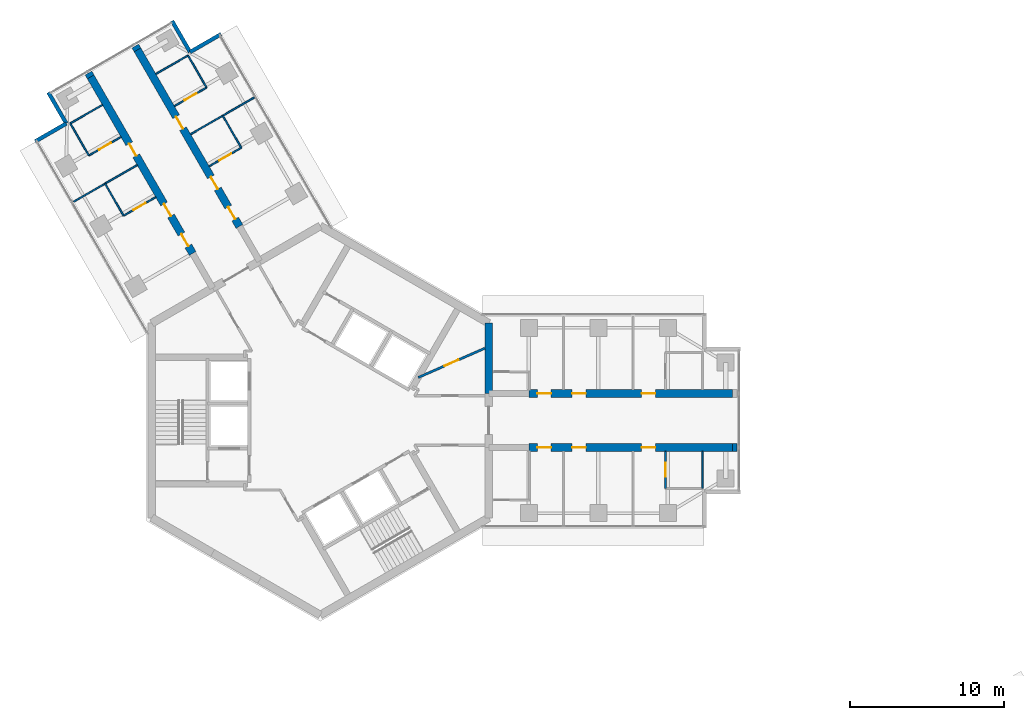
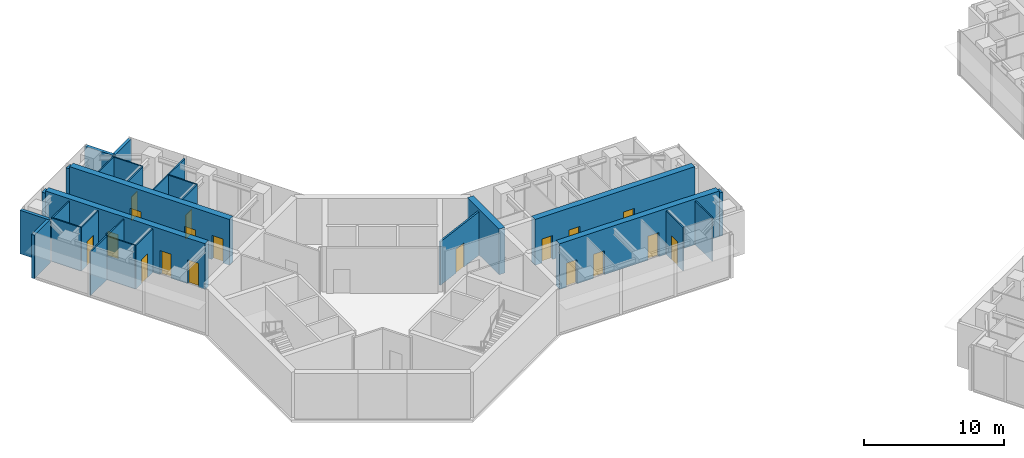
# One storey, part 13 of 18: 27 walls, 18 doors, 18 openings.
"""IFC4 building model written with IfcOpenShell, lengths in metres."""

from ifc_helpers import new_model, si_unit, direction, frame, frame_2d, origin, place, context, subcontext, project, spatial, rectangle, extrude, material, layer, layer_set, type_object, element, fill, save


model = new_model("IFC4")

# Units and contexts
model_context = context("Model", 3, precision=1e-05, world=origin(), true_north=direction((0.0, 1.0)))
body_context = subcontext(model_context, "Body", "Model", "MODEL_VIEW")
ifc_project = project(units=[si_unit("LENGTHUNIT", "METRE"), si_unit("AREAUNIT", "SQUARE_METRE"), si_unit("VOLUMEUNIT", "CUBIC_METRE"), si_unit("PLANEANGLEUNIT", "RADIAN"), si_unit("MASSUNIT", "GRAM", prefix="KILO")], contexts=[model_context])

# Site, building, storey
site_placement = place(None, origin())
site = spatial("IfcSite", under=ifc_project, at=site_placement, CompositionType="ELEMENT")
building_placement = place(site_placement, origin())
building = spatial("IfcBuilding", under=site, at=building_placement, Name="Upepo Twin Towers", CompositionType="ELEMENT")
storey_placement = place(building_placement, frame((0.0, 0.0, 226.5)))
storey = spatial("IfcBuildingStorey", under=building, at=storey_placement, Name="L55", CompositionType="ELEMENT", Elevation=226.5)

# Walls
ifc_material_1 = material(Name="Dense concrete blockwork", Category="masonry")
ifc_layer_1 = layer(ifc_material_1, 0.5)
ifc_layer_set_1 = layer_set([ifc_layer_1], Name="Buttress closer 500, blockwork with fire-stopping to the curtain wall")
wall_type_1 = type_object("IfcWallType", Name="Buttress closer 500, blockwork with fire-stopping to the curtain wall", PredefinedType="PARTITIONING", material=ifc_layer_set_1)
for number, where, z_axis, x_axis, name in (
    (1, (26.699951171875, -1.75, 0.0), (0.0, 0.0, 1.0), (1.0, 0.0, 0.0), "T1 L55 wing A buttress closer R"),
    (2, (-14.865478515625, 22.247802734375, 0.0), (0.0, 0.0, 1.0), (-0.500065409566, 0.86598763626, 0.0), "T1 L55 wing B buttress closer L"),
    (3, (-11.83447265625, 23.997802734375, 0.0), (0.0, 0.0, 1.0), (-0.500065409566, 0.86598763626, 0.0), "T1 L55 wing B buttress closer R"),
):
    element("IfcWall", number, at=place(storey_placement, frame(where, z_axis=z_axis, x_axis=x_axis)), inside=storey, type_object=wall_type_1, Name=name, PredefinedType="PARTITIONING", context=body_context, shape_type="SweptSolid", body=[
        extrude(rectangle(XDim=0.28759765625, YDim=0.5, at=frame_2d((0.143798828125, 0.0))), origin(), (0.0, 0.0, 1.0), 3.800048828125),
    ])

# Wall, openings, doors
ifc_material_2 = material(Name="Concrete C60/75", Category="concrete")
ifc_layer_2 = layer(ifc_material_2, 0.5)
ifc_layer_set_2 = layer_set([ifc_layer_2], Name="Concrete C60/75")
wall_type_2 = type_object("IfcWallType", Name="Buttress wall 500 RC", PredefinedType="SHEAR", material=ifc_layer_set_2)
wall_1_placement = place(storey_placement, frame((13.5, 1.75, 0.0), z_axis=(0.0, 0.0, 1.0), x_axis=(1.0, 0.0, 0.0)))
wall_1 = element("IfcWall", 4, at=wall_1_placement, inside=storey, type_object=wall_type_2, Name="T1 wing A buttress wall L part 2", PredefinedType="SHEAR", context=body_context, shape_type="SweptSolid", body=[
    extrude(rectangle(XDim=13.199951171875, YDim=0.5, at=frame_2d((6.60009765625, 0.0))), origin(), (0.0, 0.0, 1.0), 4.0),
])
opening_1_placement = place(wall_1_placement, frame((0.550048828125, 0.0, 0.0)))
opening_1 = element("IfcOpeningElement", 5, at=opening_1_placement, cuts=wall_1, Name="Opening D11", PredefinedType="OPENING", context=body_context, shape_type="SweptSolid", body=[
    extrude(rectangle(XDim=0.89990234375, YDim=2.10009765625, at=frame_2d((0.449951171875, 1.050048828125))), frame((0.0, 0.260009765625, 0.0), z_axis=(0.0, -1.0, 0.0), x_axis=(1.0, 0.0, 0.0)), (0.0, 0.0, 1.0), 0.52001953125),
])
opening_2_placement = place(wall_1_placement, frame((2.800048828125, 0.0, 0.0)))
opening_2 = element("IfcOpeningElement", 6, at=opening_2_placement, cuts=wall_1, Name="Opening D14", PredefinedType="OPENING", context=body_context, shape_type="SweptSolid", body=[
    extrude(rectangle(XDim=0.89990234375, YDim=2.10009765625, at=frame_2d((0.449951171875, 1.050048828125))), frame((0.0, 0.260009765625, 0.0), z_axis=(0.0, -1.0, 0.0), x_axis=(1.0, 0.0, 0.0)), (0.0, 0.0, 1.0), 0.52001953125),
])
opening_3_placement = place(wall_1_placement, frame((7.300048828125, 0.0, 0.0)))
opening_3 = element("IfcOpeningElement", 7, at=opening_3_placement, cuts=wall_1, Name="Opening D14", PredefinedType="OPENING", context=body_context, shape_type="SweptSolid", body=[
    extrude(rectangle(XDim=0.89990234375, YDim=2.10009765625, at=frame_2d((0.449951171875, 1.050048828125))), frame((0.0, 0.260009765625, 0.0), z_axis=(0.0, -1.0, 0.0), x_axis=(1.0, 0.0, 0.0)), (0.0, 0.0, 1.0), 0.52001953125),
])
ifc_material_3 = material(Name="Timber doorset", Category="wood")
door_type_1 = type_object("IfcDoorType", Name="Office door 900 FD30", OperationType="SINGLE_SWING_LEFT", PredefinedType="DOOR", material=ifc_material_3)
door_1_placement = place(opening_2_placement, origin())
door_1 = element("IfcDoor", 8, at=door_1_placement, inside=storey, type_object=door_type_1, Name="T1 L55 staff office door", OperationType="SINGLE_SWING_LEFT", OverallHeight=2.10009765625, OverallWidth=0.89990234375, PredefinedType="DOOR", context=body_context, shape_type="SweptSolid", body=[
    extrude(rectangle(XDim=0.89990234375, YDim=2.10009765625, at=frame_2d((0.449951171875, 1.050048828125))), frame((0.0, 0.02490234375, 0.0), z_axis=(0.0, -1.0, 0.0), x_axis=(1.0, 0.0, 0.0)), (0.0, 0.0, 1.0), 0.050048828125),
])
fill(opening_2, door_1)
door_2_placement = place(opening_3_placement, origin())
door_2 = element("IfcDoor", 9, at=door_2_placement, inside=storey, type_object=door_type_1, Name="T1 L55 postgraduate office door", OperationType="SINGLE_SWING_RIGHT", OverallHeight=2.10009765625, OverallWidth=0.89990234375, PredefinedType="DOOR", context=body_context, shape_type="SweptSolid", body=[
    extrude(rectangle(XDim=0.89990234375, YDim=2.10009765625, at=frame_2d((0.449951171875, 1.050048828125))), frame((0.0, 0.02490234375, 0.0), z_axis=(0.0, -1.0, 0.0), x_axis=(1.0, 0.0, 0.0)), (0.0, 0.0, 1.0), 0.050048828125),
])
fill(opening_3, door_2)
ifc_material_4 = material(Name="Timber doorset", Category="wood")
door_type_2 = type_object("IfcDoorType", Name="Toilet door 900", OperationType="SINGLE_SWING_LEFT", PredefinedType="DOOR", material=ifc_material_4)
door_3_placement = place(opening_1_placement, origin())
door_3 = element("IfcDoor", 10, at=door_3_placement, inside=storey, type_object=door_type_2, Name="T1 L55 toilets door", OperationType="SINGLE_SWING_LEFT", OverallHeight=2.10009765625, OverallWidth=0.89990234375, PredefinedType="DOOR", context=body_context, shape_type="SweptSolid", body=[
    extrude(rectangle(XDim=0.89990234375, YDim=2.10009765625, at=frame_2d((0.449951171875, 1.050048828125))), frame((0.0, 0.02490234375, 0.0), z_axis=(0.0, -1.0, 0.0), x_axis=(1.0, 0.0, 0.0)), (0.0, 0.0, 1.0), 0.050048828125),
])
fill(opening_1, door_3)

wall_2_placement = place(storey_placement, frame((13.5, -1.75, 0.0), z_axis=(0.0, 0.0, 1.0), x_axis=(1.0, 0.0, 0.0)))
wall_2 = element("IfcWall", 11, at=wall_2_placement, inside=storey, type_object=wall_type_2, Name="T1 wing A buttress wall R part 2", PredefinedType="SHEAR", context=body_context, shape_type="SweptSolid", body=[
    extrude(rectangle(XDim=13.199951171875, YDim=0.5, at=frame_2d((6.60009765625, 0.0))), origin(), (0.0, 0.0, 1.0), 4.0),
])
opening_4_placement = place(wall_2_placement, frame((0.550048828125, 0.0, 0.0)))
opening_4 = element("IfcOpeningElement", 12, at=opening_4_placement, cuts=wall_2, Name="Opening D11", PredefinedType="OPENING", context=body_context, shape_type="SweptSolid", body=[
    extrude(rectangle(XDim=0.89990234375, YDim=2.10009765625, at=frame_2d((0.449951171875, 1.050048828125))), frame((0.0, 0.260009765625, 0.0), z_axis=(0.0, -1.0, 0.0), x_axis=(1.0, 0.0, 0.0)), (0.0, 0.0, 1.0), 0.52001953125),
])
opening_5_placement = place(wall_2_placement, frame((2.800048828125, 0.0, 0.0)))
opening_5 = element("IfcOpeningElement", 13, at=opening_5_placement, cuts=wall_2, Name="Opening D14", PredefinedType="OPENING", context=body_context, shape_type="SweptSolid", body=[
    extrude(rectangle(XDim=0.89990234375, YDim=2.10009765625, at=frame_2d((0.449951171875, 1.050048828125))), frame((0.0, 0.260009765625, 0.0), z_axis=(0.0, -1.0, 0.0), x_axis=(1.0, 0.0, 0.0)), (0.0, 0.0, 1.0), 0.52001953125),
])
opening_6_placement = place(wall_2_placement, frame((7.300048828125, 0.0, 0.0)))
opening_6 = element("IfcOpeningElement", 14, at=opening_6_placement, cuts=wall_2, Name="Opening D14", PredefinedType="OPENING", context=body_context, shape_type="SweptSolid", body=[
    extrude(rectangle(XDim=0.89990234375, YDim=2.10009765625, at=frame_2d((0.449951171875, 1.050048828125))), frame((0.0, 0.260009765625, 0.0), z_axis=(0.0, -1.0, 0.0), x_axis=(1.0, 0.0, 0.0)), (0.0, 0.0, 1.0), 0.52001953125),
])
door_4_placement = place(opening_5_placement, origin())
door_4 = element("IfcDoor", 15, at=door_4_placement, inside=storey, type_object=door_type_1, Name="T1 L55 meeting room door", OperationType="SINGLE_SWING_LEFT", OverallHeight=2.10009765625, OverallWidth=0.89990234375, PredefinedType="DOOR", context=body_context, shape_type="SweptSolid", body=[
    extrude(rectangle(XDim=0.89990234375, YDim=2.10009765625, at=frame_2d((0.449951171875, 1.050048828125))), frame((0.0, 0.02490234375, 0.0), z_axis=(0.0, -1.0, 0.0), x_axis=(1.0, 0.0, 0.0)), (0.0, 0.0, 1.0), 0.050048828125),
])
fill(opening_5, door_4)
door_5_placement = place(opening_6_placement, origin())
door_5 = element("IfcDoor", 16, at=door_5_placement, inside=storey, type_object=door_type_1, Name="T1 L55 staff office door", OperationType="SINGLE_SWING_RIGHT", OverallHeight=2.10009765625, OverallWidth=0.89990234375, PredefinedType="DOOR", context=body_context, shape_type="SweptSolid", body=[
    extrude(rectangle(XDim=0.89990234375, YDim=2.10009765625, at=frame_2d((0.449951171875, 1.050048828125))), frame((0.0, 0.02490234375, 0.0), z_axis=(0.0, -1.0, 0.0), x_axis=(1.0, 0.0, 0.0)), (0.0, 0.0, 1.0), 0.050048828125),
])
fill(opening_6, door_5)
door_6_placement = place(opening_4_placement, origin())
door_6 = element("IfcDoor", 17, at=door_6_placement, inside=storey, type_object=door_type_2, Name="T1 L55 accessible wc door", OperationType="SINGLE_SWING_LEFT", OverallHeight=2.10009765625, OverallWidth=0.89990234375, PredefinedType="DOOR", context=body_context, shape_type="SweptSolid", body=[
    extrude(rectangle(XDim=0.89990234375, YDim=2.10009765625, at=frame_2d((0.449951171875, 1.050048828125))), frame((0.0, 0.02490234375, 0.0), z_axis=(0.0, -1.0, 0.0), x_axis=(1.0, 0.0, 0.0)), (0.0, 0.0, 1.0), 0.050048828125),
])
fill(opening_4, door_6)

wall_3_placement = place(storey_placement, frame((-8.265625, 10.81640625, 0.0), z_axis=(0.0, 0.0, 1.0), x_axis=(-0.499996231654, 0.866027579429, 0.0)))
wall_3 = element("IfcWall", 18, at=wall_3_placement, inside=storey, type_object=wall_type_2, Name="T1 wing B buttress wall L part 2", PredefinedType="SHEAR", context=body_context, shape_type="SweptSolid", body=[
    extrude(rectangle(XDim=13.19970703125, YDim=0.5, at=frame_2d((6.599853515625, 0.0))), origin(), (0.0, 0.0, 1.0), 4.0),
])
opening_7_placement = place(wall_3_placement, frame((0.550048828125, 0.0, 0.0)))
opening_7 = element("IfcOpeningElement", 19, at=opening_7_placement, cuts=wall_3, Name="Opening D14", PredefinedType="OPENING", context=body_context, shape_type="SweptSolid", body=[
    extrude(rectangle(XDim=0.89990234375, YDim=2.10009765625, at=frame_2d((0.449951171875, 1.050048828125))), frame((0.0, 0.260009765625, 0.0), z_axis=(0.0, -1.0, 0.0), x_axis=(1.0, 0.0, 0.0)), (0.0, 0.0, 1.0), 0.52001953125),
])
opening_8_placement = place(wall_3_placement, frame((2.800048828125, 0.0, 0.0)))
opening_8 = element("IfcOpeningElement", 20, at=opening_8_placement, cuts=wall_3, Name="Opening D14", PredefinedType="OPENING", context=body_context, shape_type="SweptSolid", body=[
    extrude(rectangle(XDim=0.89990234375, YDim=2.10009765625, at=frame_2d((0.449951171875, 1.050048828125))), frame((0.0, 0.260009765625, 0.0), z_axis=(0.0, -1.0, 0.0), x_axis=(1.0, 0.0, 0.0)), (0.0, 0.0, 1.0), 0.52001953125),
])
opening_9_placement = place(wall_3_placement, frame((7.300048828125, 0.0, 0.0)))
opening_9 = element("IfcOpeningElement", 21, at=opening_9_placement, cuts=wall_3, Name="Opening D14", PredefinedType="OPENING", context=body_context, shape_type="SweptSolid", body=[
    extrude(rectangle(XDim=0.89990234375, YDim=2.10009765625, at=frame_2d((0.449951171875, 1.050048828125))), frame((0.0, 0.260009765625, 0.0), z_axis=(0.0, -1.0, 0.0), x_axis=(1.0, 0.0, 0.0)), (0.0, 0.0, 1.0), 0.52001953125),
])
door_7_placement = place(opening_7_placement, origin())
door_7 = element("IfcDoor", 22, at=door_7_placement, inside=storey, type_object=door_type_1, Name="T1 L55 open-plan department office door", OperationType="SINGLE_SWING_LEFT", OverallHeight=2.10009765625, OverallWidth=0.89990234375, PredefinedType="DOOR", context=body_context, shape_type="SweptSolid", body=[
    extrude(rectangle(XDim=0.89990234375, YDim=2.10009765625, at=frame_2d((0.449951171875, 1.050048828125))), frame((0.0, 0.02490234375, 0.0), z_axis=(0.0, -1.0, 0.0), x_axis=(1.0, 0.0, 0.0)), (0.0, 0.0, 1.0), 0.050048828125),
])
fill(opening_7, door_7)
door_8_placement = place(opening_8_placement, origin())
door_8 = element("IfcDoor", 23, at=door_8_placement, inside=storey, type_object=door_type_1, Name="T1 L55 open-plan department office door", OperationType="SINGLE_SWING_LEFT", OverallHeight=2.10009765625, OverallWidth=0.89990234375, PredefinedType="DOOR", context=body_context, shape_type="SweptSolid", body=[
    extrude(rectangle(XDim=0.89990234375, YDim=2.10009765625, at=frame_2d((0.449951171875, 1.050048828125))), frame((0.0, 0.02490234375, 0.0), z_axis=(0.0, -1.0, 0.0), x_axis=(1.0, 0.0, 0.0)), (0.0, 0.0, 1.0), 0.050048828125),
])
fill(opening_8, door_8)
door_9_placement = place(opening_9_placement, origin())
door_9 = element("IfcDoor", 24, at=door_9_placement, inside=storey, type_object=door_type_1, Name="T1 L55 staff office door", OperationType="SINGLE_SWING_RIGHT", OverallHeight=2.10009765625, OverallWidth=0.89990234375, PredefinedType="DOOR", context=body_context, shape_type="SweptSolid", body=[
    extrude(rectangle(XDim=0.89990234375, YDim=2.10009765625, at=frame_2d((0.449951171875, 1.050048828125))), frame((0.0, 0.02490234375, 0.0), z_axis=(0.0, -1.0, 0.0), x_axis=(1.0, 0.0, 0.0)), (0.0, 0.0, 1.0), 0.050048828125),
])
fill(opening_9, door_9)

wall_4_placement = place(storey_placement, frame((-5.234375, 12.56640625, 0.0), z_axis=(0.0, 0.0, 1.0), x_axis=(-0.500010103361, 0.866019570528, 0.0)))
wall_4 = element("IfcWall", 25, at=wall_4_placement, inside=storey, type_object=wall_type_2, Name="T1 wing B buttress wall R part 2", PredefinedType="SHEAR", context=body_context, shape_type="SweptSolid", body=[
    extrude(rectangle(XDim=13.199951171875, YDim=0.5, at=frame_2d((6.60009765625, 0.0))), origin(), (0.0, 0.0, 1.0), 4.0),
])
opening_10_placement = place(wall_4_placement, frame((0.550048828125, 0.0, 0.0)))
opening_10 = element("IfcOpeningElement", 26, at=opening_10_placement, cuts=wall_4, Name="Opening D14", PredefinedType="OPENING", context=body_context, shape_type="SweptSolid", body=[
    extrude(rectangle(XDim=0.89990234375, YDim=2.10009765625, at=frame_2d((0.449951171875, 1.050048828125))), frame((0.0, 0.260009765625, 0.0), z_axis=(0.0, -1.0, 0.0), x_axis=(1.0, 0.0, 0.0)), (0.0, 0.0, 1.0), 0.52001953125),
])
opening_11_placement = place(wall_4_placement, frame((2.800048828125, 0.0, 0.0)))
opening_11 = element("IfcOpeningElement", 27, at=opening_11_placement, cuts=wall_4, Name="Opening D14", PredefinedType="OPENING", context=body_context, shape_type="SweptSolid", body=[
    extrude(rectangle(XDim=0.89990234375, YDim=2.10009765625, at=frame_2d((0.449951171875, 1.050048828125))), frame((0.0, 0.260009765625, 0.0), z_axis=(0.0, -1.0, 0.0), x_axis=(1.0, 0.0, 0.0)), (0.0, 0.0, 1.0), 0.52001953125),
])
opening_12_placement = place(wall_4_placement, frame((7.300048828125, 0.0, 0.0)))
opening_12 = element("IfcOpeningElement", 28, at=opening_12_placement, cuts=wall_4, Name="Opening D14", PredefinedType="OPENING", context=body_context, shape_type="SweptSolid", body=[
    extrude(rectangle(XDim=0.89990234375, YDim=2.10009765625, at=frame_2d((0.449951171875, 1.050048828125))), frame((0.0, 0.260009765625, 0.0), z_axis=(0.0, -1.0, 0.0), x_axis=(1.0, 0.0, 0.0)), (0.0, 0.0, 1.0), 0.52001953125),
])
door_10_placement = place(opening_10_placement, origin())
door_10 = element("IfcDoor", 29, at=door_10_placement, inside=storey, type_object=door_type_1, Name="T1 L55 open-plan department office door", OperationType="SINGLE_SWING_LEFT", OverallHeight=2.10009765625, OverallWidth=0.89990234375, PredefinedType="DOOR", context=body_context, shape_type="SweptSolid", body=[
    extrude(rectangle(XDim=0.89990234375, YDim=2.10009765625, at=frame_2d((0.449951171875, 1.050048828125))), frame((0.0, 0.02490234375, 0.0), z_axis=(0.0, -1.0, 0.0), x_axis=(1.0, 0.0, 0.0)), (0.0, 0.0, 1.0), 0.050048828125),
])
fill(opening_10, door_10)
door_11_placement = place(opening_11_placement, origin())
door_11 = element("IfcDoor", 30, at=door_11_placement, inside=storey, type_object=door_type_1, Name="T1 L55 open-plan department office door", OperationType="SINGLE_SWING_LEFT", OverallHeight=2.10009765625, OverallWidth=0.89990234375, PredefinedType="DOOR", context=body_context, shape_type="SweptSolid", body=[
    extrude(rectangle(XDim=0.89990234375, YDim=2.10009765625, at=frame_2d((0.449951171875, 1.050048828125))), frame((0.0, 0.02490234375, 0.0), z_axis=(0.0, -1.0, 0.0), x_axis=(1.0, 0.0, 0.0)), (0.0, 0.0, 1.0), 0.050048828125),
])
fill(opening_11, door_11)
door_12_placement = place(opening_12_placement, origin())
door_12 = element("IfcDoor", 31, at=door_12_placement, inside=storey, type_object=door_type_1, Name="T1 L55 postgraduate office door", OperationType="SINGLE_SWING_RIGHT", OverallHeight=2.10009765625, OverallWidth=0.89990234375, PredefinedType="DOOR", context=body_context, shape_type="SweptSolid", body=[
    extrude(rectangle(XDim=0.89990234375, YDim=2.10009765625, at=frame_2d((0.449951171875, 1.050048828125))), frame((0.0, 0.02490234375, 0.0), z_axis=(0.0, -1.0, 0.0), x_axis=(1.0, 0.0, 0.0)), (0.0, 0.0, 1.0), 0.050048828125),
])
fill(opening_12, door_12)

# Walls
ifc_material_5 = material(Name="Concrete C60/75", Category="concrete")
ifc_layer_3 = layer(ifc_material_5, 0.5)
ifc_layer_set_3 = layer_set([ifc_layer_3], Name="Concrete C60/75")
wall_type_3 = type_object("IfcWallType", Name="Core wall 500 RC", PredefinedType="SHEAR", material=ifc_layer_set_3)
wall_5_placement = place(storey_placement, frame((10.908447265625, 1.75, 0.0), z_axis=(0.0, 0.0, 1.0), x_axis=(0.0, 1.0, 0.0)))
element("IfcWall", 32, at=wall_5_placement, inside=storey, type_object=wall_type_3, Name="T1 core wall 000 L", PredefinedType="SHEAR", context=body_context, shape_type="SweptSolid", body=[
    extrude(rectangle(XDim=4.5478515625, YDim=0.5, at=frame_2d((2.27392578125, 0.0))), origin(), (0.0, 0.0, 1.0), 4.0),
])
ifc_material_6 = material(Name="Blockwork with anodised aluminium cladding", Category="masonry")
ifc_layer_4 = layer(ifc_material_6, 0.25)
ifc_layer_set_4 = layer_set([ifc_layer_4], Name="Notch cladding wall 250, pale metal")
wall_type_4 = type_object("IfcWallType", Name="Notch cladding wall 250, pale metal", PredefinedType="STANDARD", material=ifc_layer_set_4)
for number, where, z_axis, x_axis, name in (
    (33, (-18.456298828125, 18.0673828125, 0.0), (0.0, 0.0, 1.0), (0.865998469481, 0.500046648681, 0.0), "T1 L55 wing B notch wall L1"),
    (34, (-16.44287109375, 19.22998046875, 0.0), (0.0, 0.0, 1.0), (-0.500046648681, 0.865998469481, 0.0), "T1 L55 wing B notch wall L2"),
    (35, (-6.418701171875, 25.017333984375, 0.0), (0.0, 0.0, 1.0), (-0.866043940782, -0.499967891604, 0.0), "T1 L55 wing B notch wall R1"),
    (36, (-8.43212890625, 23.85498046875, 0.0), (0.0, 0.0, 1.0), (-0.500046648681, 0.865998469481, 0.0), "T1 L55 wing B notch wall R2"),
):
    element("IfcWall", number, at=place(storey_placement, frame(where, z_axis=z_axis, x_axis=x_axis)), inside=storey, type_object=wall_type_4, Name=name, PredefinedType="STANDARD", context=body_context, shape_type="SweptSolid", body=[
        extrude(rectangle(XDim=2.324951171875, YDim=0.25, at=frame_2d((1.16259765625, 0.0))), origin(), (0.0, 0.0, 1.0), 3.800048828125),
    ])

# Wall, opening, door
ifc_material_7 = material(Name="Gypsum board on steel studs", Category="steel")
ifc_layer_5 = layer(ifc_material_7, 0.10009765625)
ifc_layer_set_5 = layer_set([ifc_layer_5], Name="Office partition 100 stud")
wall_type_5 = type_object("IfcWallType", Name="Office partition 100 stud", PredefinedType="PARTITIONING", material=ifc_layer_set_5)
wall_6_placement = place(storey_placement, frame((22.35009765625, -2.0, 0.0), z_axis=(0.0, 0.0, 1.0), x_axis=(0.0, -1.0, 0.0)))
wall_6 = element("IfcWall", 37, at=wall_6_placement, inside=storey, type_object=wall_type_5, Name="T1 inner room partition AR end at 22.35", PredefinedType="PARTITIONING", context=body_context, shape_type="SweptSolid", body=[
    extrude(rectangle(XDim=2.39990234375, YDim=0.10009765625, at=frame_2d((1.199951171875, 0.0))), origin(), (0.0, 0.0, 1.0), 3.800048828125),
])
opening_13_placement = place(wall_6_placement, frame((0.75, 0.0, 0.0)))
opening_13 = element("IfcOpeningElement", 38, at=opening_13_placement, cuts=wall_6, Name="Opening D14", PredefinedType="OPENING", context=body_context, shape_type="SweptSolid", body=[
    extrude(rectangle(XDim=0.89990234375, YDim=2.10009765625, at=frame_2d((0.449951171875, 1.050048828125))), frame((0.0, 0.06005859375, 0.0), z_axis=(0.0, -1.0, 0.0), x_axis=(1.0, 0.0, 0.0)), (0.0, 0.0, 1.0), 0.1201171875),
])
door_13_placement = place(opening_13_placement, origin())
door_13 = element("IfcDoor", 39, at=door_13_placement, inside=storey, type_object=door_type_1, Name="T1 L55 inner room door", OperationType="SINGLE_SWING_LEFT", OverallHeight=2.10009765625, OverallWidth=0.89990234375, PredefinedType="DOOR", context=body_context, shape_type="SweptSolid", body=[
    extrude(rectangle(XDim=0.89990234375, YDim=2.10009765625, at=frame_2d((0.449951171875, 1.050048828125))), frame((0.0, 0.02490234375, 0.0), z_axis=(0.0, -1.0, 0.0), x_axis=(1.0, 0.0, 0.0)), (0.0, 0.0, 1.0), 0.050048828125),
])
fill(opening_13, door_13)

# Walls
wall_7_placement = place(storey_placement, frame((24.75, -2.0, 0.0), z_axis=(0.0, 0.0, 1.0), x_axis=(0.0, -1.0, 0.0)))
element("IfcWall", 40, at=wall_7_placement, inside=storey, type_object=wall_type_5, Name="T1 inner room partition AR end at 24.75", PredefinedType="PARTITIONING", context=body_context, shape_type="SweptSolid", body=[
    extrude(rectangle(XDim=2.39990234375, YDim=0.10009765625, at=frame_2d((1.199951171875, 0.0))), origin(), (0.0, 0.0, 1.0), 3.800048828125),
])
wall_8_placement = place(storey_placement, frame((-11.85693359375, 16.537109375, 0.0), z_axis=(0.0, 0.0, 1.0), x_axis=(-0.866033238375, -0.499986429846, 0.0)))
element("IfcWall", 41, at=wall_8_placement, inside=storey, type_object=wall_type_5, Name="T1 partition BL at 20.25", PredefinedType="PARTITIONING", context=body_context, shape_type="SweptSolid", body=[
    extrude(rectangle(XDim=4.750244140625, YDim=0.10009765625, at=frame_2d((2.375, 0.0))), origin(), (0.0, 0.0, 1.0), 3.800048828125),
])
wall_9_placement = place(storey_placement, frame((-12.735595703125, 13.258544921875, 0.0), z_axis=(0.0, 0.0, 1.0), x_axis=(-0.500001309137, 0.866024647952, 0.0)))
element("IfcWall", 42, at=wall_9_placement, inside=storey, type_object=wall_type_5, Name="T1 inner room partition BL at 17.85", PredefinedType="PARTITIONING", context=body_context, shape_type="SweptSolid", body=[
    extrude(rectangle(XDim=2.39990234375, YDim=0.10009765625, at=frame_2d((1.199951171875, 0.0))), origin(), (0.0, 0.0, 1.0), 3.800048828125),
])

# Wall, opening, door
wall_10_placement = place(storey_placement, frame((-10.656982421875, 14.45849609375, 0.0), z_axis=(0.0, 0.0, 1.0), x_axis=(-0.866050077142, -0.499957262057, 0.0)))
wall_10 = element("IfcWall", 43, at=wall_10_placement, inside=storey, type_object=wall_type_5, Name="T1 inner room partition BL end at 17.85", PredefinedType="PARTITIONING", context=body_context, shape_type="SweptSolid", body=[
    extrude(rectangle(XDim=2.400146484375, YDim=0.10009765625, at=frame_2d((1.2001953125, 0.0))), origin(), (0.0, 0.0, 1.0), 3.800048828125),
])
opening_14_placement = place(wall_10_placement, frame((0.75, 0.0, 0.0)))
opening_14 = element("IfcOpeningElement", 44, at=opening_14_placement, cuts=wall_10, Name="Opening D14", PredefinedType="OPENING", context=body_context, shape_type="SweptSolid", body=[
    extrude(rectangle(XDim=0.89990234375, YDim=2.10009765625, at=frame_2d((0.449951171875, 1.050048828125))), frame((0.0, 0.06005859375, 0.0), z_axis=(0.0, -1.0, 0.0), x_axis=(1.0, 0.0, 0.0)), (0.0, 0.0, 1.0), 0.1201171875),
])
door_14_placement = place(opening_14_placement, origin())
door_14 = element("IfcDoor", 45, at=door_14_placement, inside=storey, type_object=door_type_1, Name="T1 L55 inner room door", OperationType="SINGLE_SWING_LEFT", OverallHeight=2.10009765625, OverallWidth=0.89990234375, PredefinedType="DOOR", context=body_context, shape_type="SweptSolid", body=[
    extrude(rectangle(XDim=0.89990234375, YDim=2.10009765625, at=frame_2d((0.449951171875, 1.050048828125))), frame((0.0, 0.02490234375, 0.0), z_axis=(0.0, -1.0, 0.0), x_axis=(1.0, 0.0, 0.0)), (0.0, 0.0, 1.0), 0.050048828125),
])
fill(opening_14, door_14)

# Wall
wall_11_placement = place(storey_placement, frame((-14.985595703125, 17.15576171875, 0.0), z_axis=(0.0, 0.0, 1.0), x_axis=(-0.500001309137, 0.866024647952, 0.0)))
element("IfcWall", 46, at=wall_11_placement, inside=storey, type_object=wall_type_5, Name="T1 inner room partition BL at 22.35", PredefinedType="PARTITIONING", context=body_context, shape_type="SweptSolid", body=[
    extrude(rectangle(XDim=2.39990234375, YDim=0.10009765625, at=frame_2d((1.199951171875, 0.0))), origin(), (0.0, 0.0, 1.0), 3.800048828125),
])

# Wall, opening, door
wall_12_placement = place(storey_placement, frame((-12.906982421875, 18.355712890625, 0.0), z_axis=(0.0, 0.0, 1.0), x_axis=(-0.866050077142, -0.499957262057, 0.0)))
wall_12 = element("IfcWall", 47, at=wall_12_placement, inside=storey, type_object=wall_type_5, Name="T1 inner room partition BL end at 22.35", PredefinedType="PARTITIONING", context=body_context, shape_type="SweptSolid", body=[
    extrude(rectangle(XDim=2.400146484375, YDim=0.10009765625, at=frame_2d((1.2001953125, 0.0))), origin(), (0.0, 0.0, 1.0), 3.800048828125),
])
opening_15_placement = place(wall_12_placement, frame((0.75, 0.0, 0.0)))
opening_15 = element("IfcOpeningElement", 48, at=opening_15_placement, cuts=wall_12, Name="Opening D14", PredefinedType="OPENING", context=body_context, shape_type="SweptSolid", body=[
    extrude(rectangle(XDim=0.89990234375, YDim=2.10009765625, at=frame_2d((0.449951171875, 1.050048828125))), frame((0.0, 0.06005859375, 0.0), z_axis=(0.0, -1.0, 0.0), x_axis=(1.0, 0.0, 0.0)), (0.0, 0.0, 1.0), 0.1201171875),
])
door_15_placement = place(opening_15_placement, origin())
door_15 = element("IfcDoor", 49, at=door_15_placement, inside=storey, type_object=door_type_1, Name="T1 L55 inner room door", OperationType="SINGLE_SWING_LEFT", OverallHeight=2.10009765625, OverallWidth=0.89990234375, PredefinedType="DOOR", context=body_context, shape_type="SweptSolid", body=[
    extrude(rectangle(XDim=0.89990234375, YDim=2.10009765625, at=frame_2d((0.449951171875, 1.050048828125))), frame((0.0, 0.02490234375, 0.0), z_axis=(0.0, -1.0, 0.0), x_axis=(1.0, 0.0, 0.0)), (0.0, 0.0, 1.0), 0.050048828125),
])
fill(opening_15, door_15)

# Walls
wall_13_placement = place(storey_placement, frame((-14.10693359375, 20.43408203125, 0.0), z_axis=(0.0, 0.0, 1.0), x_axis=(-0.866050077142, -0.499957262057, 0.0)))
element("IfcWall", 50, at=wall_13_placement, inside=storey, type_object=wall_type_5, Name="T1 inner room partition BL end at 24.75", PredefinedType="PARTITIONING", context=body_context, shape_type="SweptSolid", body=[
    extrude(rectangle(XDim=2.400146484375, YDim=0.10009765625, at=frame_2d((1.2001953125, 0.0))), origin(), (0.0, 0.0, 1.0), 3.800048828125),
])
wall_14_placement = place(storey_placement, frame((-8.39306640625, 18.537109375, 0.0), z_axis=(0.0, 0.0, 1.0), x_axis=(0.866033238375, 0.499986429846, 0.0)))
element("IfcWall", 51, at=wall_14_placement, inside=storey, type_object=wall_type_5, Name="T1 partition BR at 20.25", PredefinedType="PARTITIONING", context=body_context, shape_type="SweptSolid", body=[
    extrude(rectangle(XDim=4.750244140625, YDim=0.10009765625, at=frame_2d((2.375, 0.0))), origin(), (0.0, 0.0, 1.0), 3.800048828125),
])
wall_15_placement = place(storey_placement, frame((-5.114501953125, 17.658447265625, 0.0), z_axis=(0.0, 0.0, 1.0), x_axis=(-0.499957262057, 0.866050077142, 0.0)))
element("IfcWall", 52, at=wall_15_placement, inside=storey, type_object=wall_type_5, Name="T1 inner room partition BR at 17.85", PredefinedType="PARTITIONING", context=body_context, shape_type="SweptSolid", body=[
    extrude(rectangle(XDim=2.400146484375, YDim=0.10009765625, at=frame_2d((1.2001953125, 0.0))), origin(), (0.0, 0.0, 1.0), 3.800048828125),
])

# Wall, opening, door
wall_16_placement = place(storey_placement, frame((-7.19287109375, 16.45849609375, 0.0), z_axis=(0.0, 0.0, 1.0), x_axis=(0.866024647952, 0.500001309137, 0.0)))
wall_16 = element("IfcWall", 53, at=wall_16_placement, inside=storey, type_object=wall_type_5, Name="T1 inner room partition BR end at 17.85", PredefinedType="PARTITIONING", context=body_context, shape_type="SweptSolid", body=[
    extrude(rectangle(XDim=2.39990234375, YDim=0.10009765625, at=frame_2d((1.199951171875, 0.0))), origin(), (0.0, 0.0, 1.0), 3.800048828125),
])
opening_16_placement = place(wall_16_placement, frame((0.75, 0.0, 0.0)))
opening_16 = element("IfcOpeningElement", 54, at=opening_16_placement, cuts=wall_16, Name="Opening D14", PredefinedType="OPENING", context=body_context, shape_type="SweptSolid", body=[
    extrude(rectangle(XDim=0.89990234375, YDim=2.10009765625, at=frame_2d((0.449951171875, 1.050048828125))), frame((0.0, 0.06005859375, 0.0), z_axis=(0.0, -1.0, 0.0), x_axis=(1.0, 0.0, 0.0)), (0.0, 0.0, 1.0), 0.1201171875),
])
door_16_placement = place(opening_16_placement, origin())
door_16 = element("IfcDoor", 55, at=door_16_placement, inside=storey, type_object=door_type_1, Name="T1 L55 inner room door", OperationType="SINGLE_SWING_LEFT", OverallHeight=2.10009765625, OverallWidth=0.89990234375, PredefinedType="DOOR", context=body_context, shape_type="SweptSolid", body=[
    extrude(rectangle(XDim=0.89990234375, YDim=2.10009765625, at=frame_2d((0.449951171875, 1.050048828125))), frame((0.0, 0.02490234375, 0.0), z_axis=(0.0, -1.0, 0.0), x_axis=(1.0, 0.0, 0.0)), (0.0, 0.0, 1.0), 0.050048828125),
])
fill(opening_16, door_16)

# Wall
wall_17_placement = place(storey_placement, frame((-7.364501953125, 21.5556640625, 0.0), z_axis=(0.0, 0.0, 1.0), x_axis=(-0.500001309137, 0.866024647952, 0.0)))
element("IfcWall", 56, at=wall_17_placement, inside=storey, type_object=wall_type_5, Name="T1 inner room partition BR at 22.35", PredefinedType="PARTITIONING", context=body_context, shape_type="SweptSolid", body=[
    extrude(rectangle(XDim=2.39990234375, YDim=0.10009765625, at=frame_2d((1.199951171875, 0.0))), origin(), (0.0, 0.0, 1.0), 3.800048828125),
])

# Wall, opening, door
wall_18_placement = place(storey_placement, frame((-9.44287109375, 20.355712890625, 0.0), z_axis=(0.0, 0.0, 1.0), x_axis=(0.866024647952, 0.500001309137, 0.0)))
wall_18 = element("IfcWall", 57, at=wall_18_placement, inside=storey, type_object=wall_type_5, Name="T1 inner room partition BR end at 22.35", PredefinedType="PARTITIONING", context=body_context, shape_type="SweptSolid", body=[
    extrude(rectangle(XDim=2.39990234375, YDim=0.10009765625, at=frame_2d((1.199951171875, 0.0))), origin(), (0.0, 0.0, 1.0), 3.800048828125),
])
opening_17_placement = place(wall_18_placement, frame((0.75, 0.0, 0.0)))
opening_17 = element("IfcOpeningElement", 58, at=opening_17_placement, cuts=wall_18, Name="Opening D14", PredefinedType="OPENING", context=body_context, shape_type="SweptSolid", body=[
    extrude(rectangle(XDim=0.89990234375, YDim=2.10009765625, at=frame_2d((0.449951171875, 1.050048828125))), frame((0.0, 0.06005859375, 0.0), z_axis=(0.0, -1.0, 0.0), x_axis=(1.0, 0.0, 0.0)), (0.0, 0.0, 1.0), 0.1201171875),
])
door_17_placement = place(opening_17_placement, origin())
door_17 = element("IfcDoor", 59, at=door_17_placement, inside=storey, type_object=door_type_1, Name="T1 L55 inner room door", OperationType="SINGLE_SWING_LEFT", OverallHeight=2.10009765625, OverallWidth=0.89990234375, PredefinedType="DOOR", context=body_context, shape_type="SweptSolid", body=[
    extrude(rectangle(XDim=0.89990234375, YDim=2.10009765625, at=frame_2d((0.449951171875, 1.050048828125))), frame((0.0, 0.02490234375, 0.0), z_axis=(0.0, -1.0, 0.0), x_axis=(1.0, 0.0, 0.0)), (0.0, 0.0, 1.0), 0.050048828125),
])
fill(opening_17, door_17)

# Wall
wall_19_placement = place(storey_placement, frame((-10.64306640625, 22.43408203125, 0.0), z_axis=(0.0, 0.0, 1.0), x_axis=(0.866050077142, 0.499957262057, 0.0)))
element("IfcWall", 60, at=wall_19_placement, inside=storey, type_object=wall_type_5, Name="T1 inner room partition BR end at 24.75", PredefinedType="PARTITIONING", context=body_context, shape_type="SweptSolid", body=[
    extrude(rectangle(XDim=2.400146484375, YDim=0.10009765625, at=frame_2d((1.2001953125, 0.0))), origin(), (0.0, 0.0, 1.0), 3.800048828125),
])

# Wall, opening, door
ifc_material_8 = material(Name="Gypsum board on steel studs", Category="steel")
ifc_layer_6 = layer(ifc_material_8, 0.14990234375)
ifc_layer_set_6 = layer_set([ifc_layer_6], Name="Teaching partition 150 acoustic")
wall_type_6 = type_object("IfcWallType", Name="Teaching partition 150 acoustic", PredefinedType="PARTITIONING", material=ifc_layer_set_6)
wall_20_placement = place(storey_placement, frame((6.34228515625, 2.78515625, 0.0), z_axis=(0.0, 0.0, 1.0), x_axis=(0.915607292951, 0.402073730919, 0.0)))
wall_20 = element("IfcWall", 61, at=wall_20_placement, inside=storey, type_object=wall_type_6, Name="T1 core room partition 17", PredefinedType="PARTITIONING", context=body_context, shape_type="SweptSolid", body=[
    extrude(rectangle(XDim=4.713623046875, YDim=0.14990234375, at=frame_2d((2.35693359375, 0.0))), origin(), (0.0, 0.0, 1.0), 3.800048828125),
])
opening_18_placement = place(wall_20_placement, frame((1.85693359375, 0.0, 0.0)))
opening_18 = element("IfcOpeningElement", 62, at=opening_18_placement, cuts=wall_20, Name="Opening D1", PredefinedType="OPENING", context=body_context, shape_type="SweptSolid", body=[
    extrude(rectangle(XDim=1.0, YDim=2.10009765625, at=frame_2d((0.5, 1.050048828125))), frame((0.0, 0.0849609375, 0.0), z_axis=(0.0, -1.0, 0.0), x_axis=(1.0, 0.0, 0.0)), (0.0, 0.0, 1.0), 0.169921875),
])
ifc_material_9 = material(Name="Timber doorset", Category="wood")
door_type_3 = type_object("IfcDoorType", Name="Room door 1000 FD30", OperationType="SINGLE_SWING_LEFT", PredefinedType="DOOR", material=ifc_material_9)
door_18_placement = place(opening_18_placement, origin())
door_18 = element("IfcDoor", 63, at=door_18_placement, inside=storey, type_object=door_type_3, Name="T1 L55 core room door K4", OperationType="SINGLE_SWING_LEFT", OverallHeight=2.10009765625, OverallWidth=1.0, PredefinedType="DOOR", context=body_context, shape_type="SweptSolid", body=[
    extrude(rectangle(XDim=1.0, YDim=2.10009765625, at=frame_2d((0.5, 1.050048828125))), frame((0.0, 0.02490234375, 0.0), z_axis=(0.0, -1.0, 0.0), x_axis=(1.0, 0.0, 0.0)), (0.0, 0.0, 1.0), 0.050048828125),
])
fill(opening_18, door_18)

save(model, "model.ifc")
